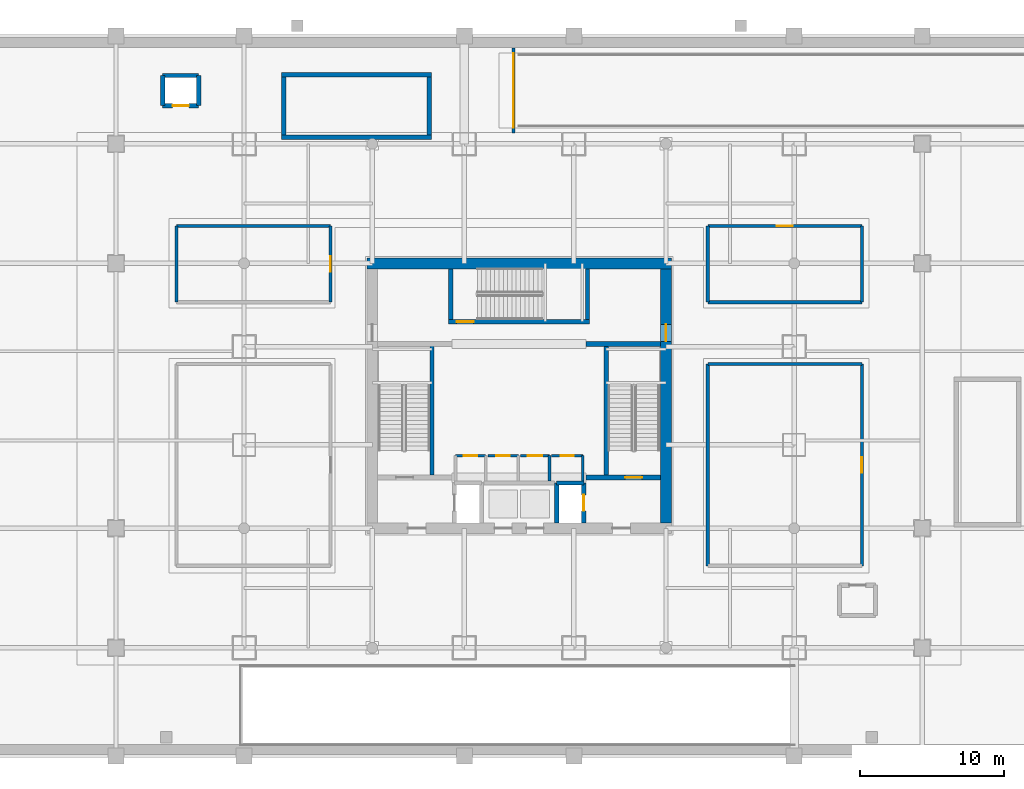
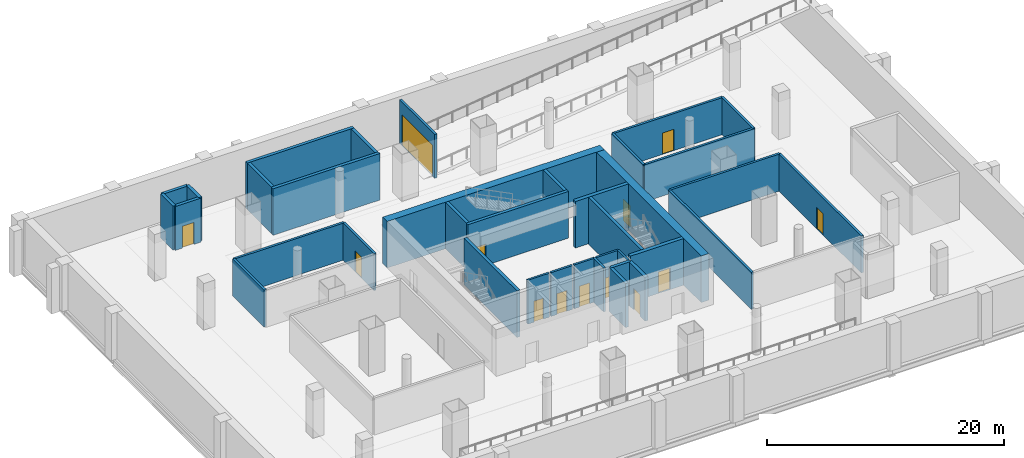
# One storey, part 4 of 12: 37 walls, 13 doors, 13 openings.
"""IFC4 building model written with IfcOpenShell, lengths in metres."""

from ifc_helpers import new_model, si_unit, direction, frame, frame_2d, origin, place, context, subcontext, project, spatial, rectangle, extrude, material, layer, layer_set, type_object, element, fill, save


model = new_model("IFC4")

# Units and contexts
model_context = context("Model", 3, precision=1e-05, world=origin(), true_north=direction((0.0, 1.0)))
body_context = subcontext(model_context, "Body", "Model", "MODEL_VIEW")
ifc_project = project(units=[si_unit("LENGTHUNIT", "METRE"), si_unit("AREAUNIT", "SQUARE_METRE"), si_unit("VOLUMEUNIT", "CUBIC_METRE"), si_unit("PLANEANGLEUNIT", "RADIAN"), si_unit("MASSUNIT", "GRAM", prefix="KILO")], contexts=[model_context])

# Site, building, storey
site_placement = place(None, origin())
site = spatial("IfcSite", under=ifc_project, at=site_placement, CompositionType="ELEMENT")
building_placement = place(site_placement, origin())
building = spatial("IfcBuilding", under=site, at=building_placement, Name="Punatoya Terracotta Tower", CompositionType="ELEMENT")
storey_placement = place(building_placement, frame((0.0, 0.0, -4.800048828125)))
storey = spatial("IfcBuildingStorey", under=building, at=storey_placement, Name="B1", CompositionType="ELEMENT", Elevation=-4.800048828125)

# Wall
ifc_material_1 = material(Name="Concrete C60/75", Category="concrete")
ifc_layer_1 = layer(ifc_material_1, 0.75)
ifc_layer_set_1 = layer_set([ifc_layer_1], Name="Concrete C60/75")
wall_type_1 = type_object("IfcWallType", Name="WL-COR-750", PredefinedType="SHEAR", material=ifc_layer_set_1)
wall_1_placement = place(storey_placement, frame((-10.574951171875, 9.199951171875, 0.0), z_axis=(0.0, 0.0, 1.0), x_axis=(1.0, 0.0, 0.0)))
element("IfcWall", 1, at=wall_1_placement, inside=storey, type_object=wall_type_1, Name="B1 Core Shear Wall N", PredefinedType="SHEAR", context=body_context, shape_type="SweptSolid", body=[
    extrude(rectangle(XDim=21.14990234375, YDim=0.75, at=frame_2d((10.574951171875, 0.0))), origin(), (0.0, 0.0, 1.0), 4.800048828125),
])

# Wall, opening, door
wall_2_placement = place(storey_placement, frame((10.199951171875, 8.824951171875, 0.0), z_axis=(0.0, 0.0, 1.0), x_axis=(0.0, -1.0, 0.0)))
wall_2 = element("IfcWall", 2, at=wall_2_placement, inside=storey, type_object=wall_type_1, Name="B1 Core Shear Wall E", PredefinedType="SHEAR", context=body_context, shape_type="SweptSolid", body=[
    extrude(rectangle(XDim=17.64990234375, YDim=0.75, at=frame_2d((8.824951171875, 0.0))), origin(), (0.0, 0.0, 1.0), 4.800048828125),
])
opening_1_placement = place(wall_2_placement, frame((3.85498046875, 0.0, 0.0)))
opening_1 = element("IfcOpeningElement", 3, at=opening_1_placement, cuts=wall_2, Name="Opening SD-01", PredefinedType="OPENING", context=body_context, shape_type="SweptSolid", body=[
    extrude(rectangle(XDim=1.179931640625, YDim=2.199951171875, at=frame_2d((0.58984375, 1.10009765625))), frame((0.0, 0.385009765625, 0.0), z_axis=(0.0, -1.0, 0.0), x_axis=(1.0, 0.0, 0.0)), (0.0, 0.0, 1.0), 0.77001953125),
])
ifc_material_2 = material(Name="Galvanised Steel Pressurized Stair Fire Door", Category="steel")
door_type_1 = type_object("IfcDoorType", Name="DR-STR-1180", OperationType="NOTDEFINED", PredefinedType="DOOR", material=ifc_material_2)
door_1_placement = place(opening_1_placement, origin())
door_1 = element("IfcDoor", 4, at=door_1_placement, inside=storey, type_object=door_type_1, Name="B1 Central Lift Lobby East Fire Door", OperationType="SINGLE_SWING_RIGHT", OverallHeight=2.199951171875, OverallWidth=1.179931640625, PredefinedType="DOOR", context=body_context, shape_type="SweptSolid", body=[
    extrude(rectangle(XDim=1.179931640625, YDim=2.199951171875, at=frame_2d((0.58984375, 1.10009765625))), frame((0.0, 0.02490234375, 0.0), z_axis=(0.0, -1.0, 0.0), x_axis=(1.0, 0.0, 0.0)), (0.0, 0.0, 1.0), 0.050048828125),
])
fill(opening_1, door_1)

ifc_material_3 = material(Name="Concrete C40/50", Category="concrete")
ifc_layer_2 = layer(ifc_material_3, 0.219970703125)
ifc_layer_set_2 = layer_set([ifc_layer_2], Name="Concrete C40/50")
wall_type_2 = type_object("IfcWallType", Name="WL-FIR-220", PredefinedType="SOLIDWALL", material=ifc_layer_set_2)
wall_3_placement = place(storey_placement, frame((-0.39990234375, 18.25, 0.0), z_axis=(0.0, 0.0, 1.0), x_axis=(0.0, 1.0, 0.0)))
wall_3 = element("IfcWall", 5, at=wall_3_placement, inside=storey, type_object=wall_type_2, Name="B1 Car Ramp VR-2 Fire-Shutter Portal Wall", PredefinedType="SOLIDWALL", context=body_context, shape_type="SweptSolid", body=[
    extrude(rectangle(XDim=5.89990234375, YDim=0.219970703125, at=frame_2d((2.949951171875, 0.0))), origin(), (0.0, 0.0, 1.0), 4.52001953125),
])
opening_2_placement = place(wall_3_placement, frame((0.35009765625, 0.0, 0.0)))
opening_2 = element("IfcOpeningElement", 6, at=opening_2_placement, cuts=wall_3, Name="Opening VRS-1", PredefinedType="OPENING", context=body_context, shape_type="SweptSolid", body=[
    extrude(rectangle(XDim=5.199951171875, YDim=3.199951171875, at=frame_2d((2.60009765625, 1.60009765625))), frame((0.0, 0.119873046875, 0.0), z_axis=(0.0, -1.0, 0.0), x_axis=(1.0, 0.0, 0.0)), (0.0, 0.0, 1.0), 0.239990234375),
])
ifc_material_4 = material(Name="Galvanised Steel Roller Shutter", Category="steel")
door_type_2 = type_object("IfcDoorType", Name="DR-SHU-5200", OperationType="NOTDEFINED", PredefinedType="GATE", material=ifc_material_4)
door_2_placement = place(opening_2_placement, origin())
door_2 = element("IfcDoor", 7, at=door_2_placement, inside=storey, type_object=door_type_2, Name="B1 Car Ramp VR-2 Fire Roller Shutter", OperationType="ROLLINGUP", OverallHeight=3.199951171875, OverallWidth=5.199951171875, PredefinedType="GATE", context=body_context, shape_type="SweptSolid", body=[
    extrude(rectangle(XDim=5.199951171875, YDim=3.199951171875, at=frame_2d((2.60009765625, 1.60009765625))), frame((0.0, 0.02490234375, 0.0), z_axis=(0.0, -1.0, 0.0), x_axis=(1.0, 0.0, 0.0)), (0.0, 0.0, 1.0), 0.050048828125),
])
fill(opening_2, door_2)

wall_4_placement = place(storey_placement, frame((-13.10009765625, 6.5, 0.0), z_axis=(0.0, 0.0, 1.0), x_axis=(0.0, 1.0, 0.0)))
wall_4 = element("IfcWall", 8, at=wall_4_placement, inside=storey, type_object=wall_type_2, Name="B1 Building Management and Fan Plant Room Partition 14", PredefinedType="SOLIDWALL", context=body_context, shape_type="SweptSolid", body=[
    extrude(rectangle(XDim=5.300048828125, YDim=0.219970703125, at=frame_2d((2.64990234375, 0.0))), origin(), (0.0, 0.0, 1.0), 3.81396484375),
])
opening_3_placement = place(wall_4_placement, frame((2.10009765625, 0.0, 0.0)))
opening_3 = element("IfcOpeningElement", 9, at=opening_3_placement, cuts=wall_4, Name="Opening FD-P1", PredefinedType="OPENING", context=body_context, shape_type="SweptSolid", body=[
    extrude(rectangle(XDim=1.10009765625, YDim=2.199951171875, at=frame_2d((0.550048828125, 1.10009765625))), frame((0.0, 0.119873046875, 0.0), z_axis=(0.0, -1.0, 0.0), x_axis=(1.0, 0.0, 0.0)), (0.0, 0.0, 1.0), 0.239990234375),
])
ifc_material_5 = material(Name="Galvanised Steel Plant Fire Door", Category="steel")
door_type_3 = type_object("IfcDoorType", Name="DR-PLT-1100", OperationType="NOTDEFINED", PredefinedType="DOOR", material=ifc_material_5)
door_3_placement = place(opening_3_placement, origin())
door_3 = element("IfcDoor", 10, at=door_3_placement, inside=storey, type_object=door_type_3, Name="B1 Building Management and Fan Plant Room Fire Door", OperationType="SINGLE_SWING_LEFT", OverallHeight=2.199951171875, OverallWidth=1.10009765625, PredefinedType="DOOR", context=body_context, shape_type="SweptSolid", body=[
    extrude(rectangle(XDim=1.10009765625, YDim=2.199951171875, at=frame_2d((0.550048828125, 1.10009765625))), frame((0.0, 0.02490234375, 0.0), z_axis=(0.0, -1.0, 0.0), x_axis=(1.0, 0.0, 0.0)), (0.0, 0.0, 1.0), 0.050048828125),
])
fill(opening_3, door_3)

# Walls
wall_5_placement = place(storey_placement, frame((-13.10009765625, 11.800048828125, 0.0), z_axis=(0.0, 0.0, 1.0), x_axis=(-1.0, 0.0, 0.0)))
element("IfcWall", 11, at=wall_5_placement, inside=storey, type_object=wall_type_2, Name="B1 Building Management and Fan Plant Room Partition 15", PredefinedType="SOLIDWALL", context=body_context, shape_type="SweptSolid", body=[
    extrude(rectangle(XDim=10.699951171875, YDim=0.219970703125, at=frame_2d((5.35009765625, 0.0))), origin(), (0.0, 0.0, 1.0), 3.81396484375),
])
wall_6_placement = place(storey_placement, frame((-23.800048828125, 11.800048828125, 0.0), z_axis=(0.0, 0.0, 1.0), x_axis=(0.0, -1.0, 0.0)))
element("IfcWall", 12, at=wall_6_placement, inside=storey, type_object=wall_type_2, Name="B1 Building Management and Fan Plant Room Partition 16", PredefinedType="SOLIDWALL", context=body_context, shape_type="SweptSolid", body=[
    extrude(rectangle(XDim=5.300048828125, YDim=0.219970703125, at=frame_2d((2.64990234375, 0.0))), origin(), (0.0, 0.0, 1.0), 3.81396484375),
])

# Wall, opening, door
wall_7_placement = place(storey_placement, frame((23.800048828125, -11.800048828125, 0.0), z_axis=(0.0, 0.0, 1.0), x_axis=(0.0, 1.0, 0.0)))
wall_7 = element("IfcWall", 13, at=wall_7_placement, inside=storey, type_object=wall_type_2, Name="B1 Secure Staff Cycle Hub and Changing Room Partition 18", PredefinedType="SOLIDWALL", context=body_context, shape_type="SweptSolid", body=[
    extrude(rectangle(XDim=14.0, YDim=0.219970703125, at=frame_2d((7.0, 0.0))), origin(), (0.0, 0.0, 1.0), 3.81396484375),
])
opening_4_placement = place(wall_7_placement, frame((6.449951171875, 0.0, 0.0)))
opening_4 = element("IfcOpeningElement", 14, at=opening_4_placement, cuts=wall_7, Name="Opening FD-P1", PredefinedType="OPENING", context=body_context, shape_type="SweptSolid", body=[
    extrude(rectangle(XDim=1.10009765625, YDim=2.199951171875, at=frame_2d((0.550048828125, 1.10009765625))), frame((0.0, 0.119873046875, 0.0), z_axis=(0.0, -1.0, 0.0), x_axis=(1.0, 0.0, 0.0)), (0.0, 0.0, 1.0), 0.239990234375),
])
door_4_placement = place(opening_4_placement, origin())
door_4 = element("IfcDoor", 15, at=door_4_placement, inside=storey, type_object=door_type_3, Name="B1 Secure Staff Cycle Hub and Changing Room Fire Door", OperationType="SINGLE_SWING_RIGHT", OverallHeight=2.199951171875, OverallWidth=1.10009765625, PredefinedType="DOOR", context=body_context, shape_type="SweptSolid", body=[
    extrude(rectangle(XDim=1.10009765625, YDim=2.199951171875, at=frame_2d((0.550048828125, 1.10009765625))), frame((0.0, 0.02490234375, 0.0), z_axis=(0.0, -1.0, 0.0), x_axis=(1.0, 0.0, 0.0)), (0.0, 0.0, 1.0), 0.050048828125),
])
fill(opening_4, door_4)

# Walls
wall_8_placement = place(storey_placement, frame((23.800048828125, 2.199951171875, 0.0), z_axis=(0.0, 0.0, 1.0), x_axis=(-1.0, 0.0, 0.0)))
element("IfcWall", 16, at=wall_8_placement, inside=storey, type_object=wall_type_2, Name="B1 Secure Staff Cycle Hub and Changing Room Partition 19", PredefinedType="SOLIDWALL", context=body_context, shape_type="SweptSolid", body=[
    extrude(rectangle(XDim=10.699951171875, YDim=0.219970703125, at=frame_2d((5.35009765625, 0.0))), origin(), (0.0, 0.0, 1.0), 3.81396484375),
])
wall_9_placement = place(storey_placement, frame((13.10009765625, 2.199951171875, 0.0), z_axis=(0.0, 0.0, 1.0), x_axis=(0.0, -1.0, 0.0)))
element("IfcWall", 17, at=wall_9_placement, inside=storey, type_object=wall_type_2, Name="B1 Secure Staff Cycle Hub and Changing Room Partition 20", PredefinedType="SOLIDWALL", context=body_context, shape_type="SweptSolid", body=[
    extrude(rectangle(XDim=14.0, YDim=0.219970703125, at=frame_2d((7.0, 0.0))), origin(), (0.0, 0.0, 1.0), 3.81396484375),
])
wall_10_placement = place(storey_placement, frame((23.800048828125, 6.5, 0.0), z_axis=(0.0, 0.0, 1.0), x_axis=(0.0, 1.0, 0.0)))
element("IfcWall", 18, at=wall_10_placement, inside=storey, type_object=wall_type_2, Name="B1 Refuse Compactor and Facilities Workshop Partition 22", PredefinedType="SOLIDWALL", context=body_context, shape_type="SweptSolid", body=[
    extrude(rectangle(XDim=5.300048828125, YDim=0.219970703125, at=frame_2d((2.64990234375, 0.0))), origin(), (0.0, 0.0, 1.0), 3.81396484375),
])

# Wall, opening, door
wall_11_placement = place(storey_placement, frame((23.800048828125, 11.800048828125, 0.0), z_axis=(0.0, 0.0, 1.0), x_axis=(-1.0, 0.0, 0.0)))
wall_11 = element("IfcWall", 19, at=wall_11_placement, inside=storey, type_object=wall_type_2, Name="B1 Refuse Compactor and Facilities Workshop Partition 23", PredefinedType="SOLIDWALL", context=body_context, shape_type="SweptSolid", body=[
    extrude(rectangle(XDim=10.699951171875, YDim=0.219970703125, at=frame_2d((5.35009765625, 0.0))), origin(), (0.0, 0.0, 1.0), 3.81396484375),
])
opening_5_placement = place(wall_11_placement, frame((4.800048828125, 0.0, 0.0)))
opening_5 = element("IfcOpeningElement", 20, at=opening_5_placement, cuts=wall_11, Name="Opening FD-P1", PredefinedType="OPENING", context=body_context, shape_type="SweptSolid", body=[
    extrude(rectangle(XDim=1.10009765625, YDim=2.199951171875, at=frame_2d((0.550048828125, 1.10009765625))), frame((0.0, 0.119873046875, 0.0), z_axis=(0.0, -1.0, 0.0), x_axis=(1.0, 0.0, 0.0)), (0.0, 0.0, 1.0), 0.239990234375),
])
door_5_placement = place(opening_5_placement, origin())
door_5 = element("IfcDoor", 21, at=door_5_placement, inside=storey, type_object=door_type_3, Name="B1 Refuse Compactor and Facilities Workshop Fire Door", OperationType="SINGLE_SWING_LEFT", OverallHeight=2.199951171875, OverallWidth=1.10009765625, PredefinedType="DOOR", context=body_context, shape_type="SweptSolid", body=[
    extrude(rectangle(XDim=1.10009765625, YDim=2.199951171875, at=frame_2d((0.550048828125, 1.10009765625))), frame((0.0, 0.02490234375, 0.0), z_axis=(0.0, -1.0, 0.0), x_axis=(1.0, 0.0, 0.0)), (0.0, 0.0, 1.0), 0.050048828125),
])
fill(opening_5, door_5)

# Walls
wall_12_placement = place(storey_placement, frame((13.10009765625, 11.800048828125, 0.0), z_axis=(0.0, 0.0, 1.0), x_axis=(0.0, -1.0, 0.0)))
element("IfcWall", 22, at=wall_12_placement, inside=storey, type_object=wall_type_2, Name="B1 Refuse Compactor and Facilities Workshop Partition 24", PredefinedType="SOLIDWALL", context=body_context, shape_type="SweptSolid", body=[
    extrude(rectangle(XDim=5.300048828125, YDim=0.219970703125, at=frame_2d((2.64990234375, 0.0))), origin(), (0.0, 0.0, 1.0), 3.81396484375),
])
wall_13_placement = place(storey_placement, frame((13.10009765625, 6.5, 0.0), z_axis=(0.0, 0.0, 1.0), x_axis=(1.0, 0.0, 0.0)))
element("IfcWall", 23, at=wall_13_placement, inside=storey, type_object=wall_type_2, Name="B1 Refuse Compactor and Facilities Workshop Partition 25", PredefinedType="SOLIDWALL", context=body_context, shape_type="SweptSolid", body=[
    extrude(rectangle(XDim=10.699951171875, YDim=0.219970703125, at=frame_2d((5.35009765625, 0.0))), origin(), (0.0, 0.0, 1.0), 3.81396484375),
])

# Wall, opening, door
ifc_layer_3 = layer(ifc_material_3, 0.199951171875)
ifc_layer_set_3 = layer_set([ifc_layer_3], Name="Concrete C40/50")
wall_type_3 = type_object("IfcWallType", Name="WL-INT-200", PredefinedType="SOLIDWALL", material=ifc_layer_set_3)
wall_14_placement = place(storey_placement, frame((-2.320068359375, -4.159912109375, 0.0), z_axis=(0.0, 0.0, 1.0), x_axis=(-1.0, 0.0, 0.0)))
wall_14 = element("IfcWall", 24, at=wall_14_placement, inside=storey, type_object=wall_type_3, Name="B1 Staff Male Washroom Partition 02", PredefinedType="SOLIDWALL", context=body_context, shape_type="SweptSolid", body=[
    extrude(rectangle(XDim=2.099853515625, YDim=0.199951171875, at=frame_2d((1.0498046875, 0.0))), origin(), (0.0, 0.0, 1.0), 4.52001953125),
])
opening_6_placement = place(wall_14_placement, frame((0.574951171875, 0.0, 0.0)))
opening_6 = element("IfcOpeningElement", 25, at=opening_6_placement, cuts=wall_14, Name="Opening WD-01", PredefinedType="OPENING", context=body_context, shape_type="SweptSolid", body=[
    extrude(rectangle(XDim=0.949951171875, YDim=2.14990234375, at=frame_2d((0.47509765625, 1.074951171875))), frame((0.0, 0.10986328125, 0.0), z_axis=(0.0, -1.0, 0.0), x_axis=(1.0, 0.0, 0.0)), (0.0, 0.0, 1.0), 0.219970703125),
])
ifc_material_6 = material(Name="Moisture-Resistant Laminate Timber Leaf", Category="wood")
door_type_4 = type_object("IfcDoorType", Name="DR-WC-950", OperationType="NOTDEFINED", PredefinedType="DOOR", material=ifc_material_6)
door_6_placement = place(opening_6_placement, origin())
door_6 = element("IfcDoor", 26, at=door_6_placement, inside=storey, type_object=door_type_4, Name="B1 Staff Male Washroom Door", OperationType="SINGLE_SWING_RIGHT", OverallHeight=2.14990234375, OverallWidth=0.949951171875, PredefinedType="DOOR", context=body_context, shape_type="SweptSolid", body=[
    extrude(rectangle(XDim=0.949951171875, YDim=2.14990234375, at=frame_2d((0.47509765625, 1.074951171875))), frame((0.0, 0.02490234375, 0.0), z_axis=(0.0, -1.0, 0.0), x_axis=(1.0, 0.0, 0.0)), (0.0, 0.0, 1.0), 0.050048828125),
])
fill(opening_6, door_6)

wall_15_placement = place(storey_placement, frame((-0.06005859375, -4.159912109375, 0.0), z_axis=(0.0, 0.0, 1.0), x_axis=(-1.0, 0.0, 0.0)))
wall_15 = element("IfcWall", 27, at=wall_15_placement, inside=storey, type_object=wall_type_3, Name="B1 Staff Female Washroom Partition 05", PredefinedType="SOLIDWALL", context=body_context, shape_type="SweptSolid", body=[
    extrude(rectangle(XDim=2.099853515625, YDim=0.199951171875, at=frame_2d((1.0498046875, 0.0))), origin(), (0.0, 0.0, 1.0), 4.52001953125),
])
opening_7_placement = place(wall_15_placement, frame((0.574951171875, 0.0, 0.0)))
opening_7 = element("IfcOpeningElement", 28, at=opening_7_placement, cuts=wall_15, Name="Opening WD-01", PredefinedType="OPENING", context=body_context, shape_type="SweptSolid", body=[
    extrude(rectangle(XDim=0.949951171875, YDim=2.14990234375, at=frame_2d((0.47509765625, 1.074951171875))), frame((0.0, 0.10986328125, 0.0), z_axis=(0.0, -1.0, 0.0), x_axis=(1.0, 0.0, 0.0)), (0.0, 0.0, 1.0), 0.219970703125),
])
door_7_placement = place(opening_7_placement, origin())
door_7 = element("IfcDoor", 29, at=door_7_placement, inside=storey, type_object=door_type_4, Name="B1 Staff Female Washroom Door", OperationType="SINGLE_SWING_LEFT", OverallHeight=2.14990234375, OverallWidth=0.949951171875, PredefinedType="DOOR", context=body_context, shape_type="SweptSolid", body=[
    extrude(rectangle(XDim=0.949951171875, YDim=2.14990234375, at=frame_2d((0.47509765625, 1.074951171875))), frame((0.0, 0.02490234375, 0.0), z_axis=(0.0, -1.0, 0.0), x_axis=(1.0, 0.0, 0.0)), (0.0, 0.0, 1.0), 0.050048828125),
])
fill(opening_7, door_7)

# Wall
wall_16_placement = place(storey_placement, frame((2.10009765625, -5.89990234375, 0.0), z_axis=(0.0, 0.0, 1.0), x_axis=(0.0, 1.0, 0.0)))
element("IfcWall", 30, at=wall_16_placement, inside=storey, type_object=wall_type_3, Name="B1 Accessible Universal Washroom Partition 06", PredefinedType="SOLIDWALL", context=body_context, shape_type="SweptSolid", body=[
    extrude(rectangle(XDim=1.739990234375, YDim=0.199951171875, at=frame_2d((0.8701171875, 0.0))), origin(), (0.0, 0.0, 1.0), 4.52001953125),
])

# Wall, opening, door
wall_17_placement = place(storey_placement, frame((2.10009765625, -4.159912109375, 0.0), z_axis=(0.0, 0.0, 1.0), x_axis=(-1.0, 0.0, 0.0)))
wall_17 = element("IfcWall", 31, at=wall_17_placement, inside=storey, type_object=wall_type_3, Name="B1 Accessible Universal Washroom Partition 07", PredefinedType="SOLIDWALL", context=body_context, shape_type="SweptSolid", body=[
    extrude(rectangle(XDim=2.0, YDim=0.199951171875, at=frame_2d((1.0, 0.0))), origin(), (0.0, 0.0, 1.0), 4.52001953125),
])
opening_8_placement = place(wall_17_placement, frame((0.5, 0.0, 0.0)))
opening_8 = element("IfcOpeningElement", 32, at=opening_8_placement, cuts=wall_17, Name="Opening AWD-1", PredefinedType="OPENING", context=body_context, shape_type="SweptSolid", body=[
    extrude(rectangle(XDim=1.0, YDim=2.14990234375, at=frame_2d((0.5, 1.074951171875))), frame((0.0, 0.10986328125, 0.0), z_axis=(0.0, -1.0, 0.0), x_axis=(1.0, 0.0, 0.0)), (0.0, 0.0, 1.0), 0.219970703125),
])
ifc_material_7 = material(Name="Bengal Teak Accessible WC Leaf")
door_type_5 = type_object("IfcDoorType", Name="DR-ACC-1000", OperationType="NOTDEFINED", PredefinedType="DOOR", material=ifc_material_7)
door_8_placement = place(opening_8_placement, origin())
door_8 = element("IfcDoor", 33, at=door_8_placement, inside=storey, type_object=door_type_5, Name="B1 Accessible Universal Washroom Door", OperationType="SINGLE_SWING_RIGHT", OverallHeight=2.14990234375, OverallWidth=1.0, PredefinedType="DOOR", context=body_context, shape_type="SweptSolid", body=[
    extrude(rectangle(XDim=1.0, YDim=2.14990234375, at=frame_2d((0.5, 1.074951171875))), frame((0.0, 0.02490234375, 0.0), z_axis=(0.0, -1.0, 0.0), x_axis=(1.0, 0.0, 0.0)), (0.0, 0.0, 1.0), 0.050048828125),
])
fill(opening_8, door_8)

# Wall
wall_18_placement = place(storey_placement, frame((4.419921875, -5.89990234375, 0.0), z_axis=(0.0, 0.0, 1.0), x_axis=(0.0, 1.0, 0.0)))
element("IfcWall", 34, at=wall_18_placement, inside=storey, type_object=wall_type_3, Name="B1 Core Electrical Switchgear Room Partition 08", PredefinedType="SOLIDWALL", context=body_context, shape_type="SweptSolid", body=[
    extrude(rectangle(XDim=1.739990234375, YDim=0.199951171875, at=frame_2d((0.8701171875, 0.0))), origin(), (0.0, 0.0, 1.0), 4.52001953125),
])

# Wall, opening, door
wall_19_placement = place(storey_placement, frame((4.419921875, -4.159912109375, 0.0), z_axis=(0.0, 0.0, 1.0), x_axis=(-1.0, 0.0, 0.0)))
wall_19 = element("IfcWall", 35, at=wall_19_placement, inside=storey, type_object=wall_type_3, Name="B1 Core Electrical Switchgear Room Partition 09", PredefinedType="SOLIDWALL", context=body_context, shape_type="SweptSolid", body=[
    extrude(rectangle(XDim=2.159912109375, YDim=0.199951171875, at=frame_2d((1.080078125, 0.0))), origin(), (0.0, 0.0, 1.0), 4.52001953125),
])
opening_9_placement = place(wall_19_placement, frame((0.6201171875, 0.0, 0.0)))
opening_9 = element("IfcOpeningElement", 36, at=opening_9_placement, cuts=wall_19, Name="Opening FD-R1", PredefinedType="OPENING", context=body_context, shape_type="SweptSolid", body=[
    extrude(rectangle(XDim=0.919921875, YDim=2.10009765625, at=frame_2d((0.4599609375, 1.050048828125))), frame((0.0, 0.10986328125, 0.0), z_axis=(0.0, -1.0, 0.0), x_axis=(1.0, 0.0, 0.0)), (0.0, 0.0, 1.0), 0.219970703125),
])
ifc_material_8 = material(Name="Galvanised Steel Riser Fire Access Door", Category="steel")
door_type_6 = type_object("IfcDoorType", Name="DR-RSR-920", OperationType="NOTDEFINED", PredefinedType="DOOR", material=ifc_material_8)
door_9_placement = place(opening_9_placement, origin())
door_9 = element("IfcDoor", 37, at=door_9_placement, inside=storey, type_object=door_type_6, Name="B1 Core Electrical Switchgear Room Fire Door", OperationType="SINGLE_SWING_LEFT", OverallHeight=2.10009765625, OverallWidth=0.919921875, PredefinedType="DOOR", context=body_context, shape_type="SweptSolid", body=[
    extrude(rectangle(XDim=0.919921875, YDim=2.10009765625, at=frame_2d((0.4599609375, 1.050048828125))), frame((0.0, 0.02490234375, 0.0), z_axis=(0.0, -1.0, 0.0), x_axis=(1.0, 0.0, 0.0)), (0.0, 0.0, 1.0), 0.050048828125),
])
fill(opening_9, door_9)

# Walls
ifc_layer_4 = layer(ifc_material_3, 0.300048828125)
ifc_layer_set_4 = layer_set([ifc_layer_4], Name="Concrete C40/50")
wall_type_4 = type_object("IfcWallType", Name="WL-SHF-300", PredefinedType="SOLIDWALL", material=ifc_layer_set_4)
for number, where, z_axis, x_axis, name in (
    (38, (-6.050048828125, -5.5, 0.0), (0.0, 0.0, 1.0), (0.0, 1.0, 0.0), "B1 Structural Stair Shaft Wall SW-ST1-E"),
    (39, (6.050048828125, 3.449951171875, 0.0), (0.0, 0.0, 1.0), (0.0, -1.0, 0.0), "B1 Structural Stair Shaft Wall SW-ST2-W"),
):
    element("IfcWall", number, at=place(storey_placement, frame(where, z_axis=z_axis, x_axis=x_axis)), inside=storey, type_object=wall_type_4, Name=name, PredefinedType="SOLIDWALL", context=body_context, shape_type="SweptSolid", body=[
        extrude(rectangle(XDim=8.949951171875, YDim=0.300048828125, at=frame_2d((4.47509765625, 0.0))), origin(), (0.0, 0.0, 1.0), 4.800048828125),
    ])
for number, where, z_axis, x_axis, name in (
    (40, (-4.75, 5.300048828125, 0.0), (0.0, 0.0, 1.0), (0.0, 1.0, 0.0), "B1 Structural Stair Shaft Wall SW-ST3-W"),
    (41, (4.75, 8.824951171875, 0.0), (0.0, 0.0, 1.0), (0.0, -1.0, 0.0), "B1 Structural Stair Shaft Wall SW-ST3-E"),
):
    element("IfcWall", number, at=place(storey_placement, frame(where, z_axis=z_axis, x_axis=x_axis)), inside=storey, type_object=wall_type_4, Name=name, PredefinedType="SOLIDWALL", context=body_context, shape_type="SweptSolid", body=[
        extrude(rectangle(XDim=3.52490234375, YDim=0.300048828125, at=frame_2d((1.762451171875, 0.0))), origin(), (0.0, 0.0, 1.0), 4.800048828125),
    ])

# Wall, opening, door
wall_20_placement = place(storey_placement, frame((-4.89990234375, 5.14990234375, 0.0), z_axis=(0.0, 0.0, 1.0), x_axis=(1.0, 0.0, 0.0)))
wall_20 = element("IfcWall", 42, at=wall_20_placement, inside=storey, type_object=wall_type_4, Name="B1 Structural Stair Shaft Wall SW-ST3-S", PredefinedType="SOLIDWALL", context=body_context, shape_type="SweptSolid", body=[
    extrude(rectangle(XDim=9.7998046875, YDim=0.300048828125, at=frame_2d((4.89990234375, 0.0))), origin(), (0.0, 0.0, 1.0), 4.800048828125),
])
opening_10_placement = place(wall_20_placement, frame((0.56005859375, 0.0, 0.0)))
opening_10 = element("IfcOpeningElement", 43, at=opening_10_placement, cuts=wall_20, Name="Opening SD-01", PredefinedType="OPENING", context=body_context, shape_type="SweptSolid", body=[
    extrude(rectangle(XDim=1.179931640625, YDim=2.199951171875, at=frame_2d((0.58984375, 1.10009765625))), frame((0.0, 0.159912109375, 0.0), z_axis=(0.0, -1.0, 0.0), x_axis=(1.0, 0.0, 0.0)), (0.0, 0.0, 1.0), 0.320068359375),
])
door_10_placement = place(opening_10_placement, origin())
door_10 = element("IfcDoor", 44, at=door_10_placement, inside=storey, type_object=door_type_1, Name="B1 Stair ST-3 Core Lobby Fire Door", OperationType="SINGLE_SWING_LEFT", OverallHeight=2.199951171875, OverallWidth=1.179931640625, PredefinedType="DOOR", context=body_context, shape_type="SweptSolid", body=[
    extrude(rectangle(XDim=1.179931640625, YDim=2.199951171875, at=frame_2d((0.58984375, 1.10009765625))), frame((0.0, 0.02490234375, 0.0), z_axis=(0.0, -1.0, 0.0), x_axis=(1.0, 0.0, 0.0)), (0.0, 0.0, 1.0), 0.050048828125),
])
fill(opening_10, door_10)

# Walls
for number, where, z_axis, x_axis, name in (
    (45, (-16.5, 17.949951171875, 0.0), (0.0, 0.0, 1.0), (1.0, 0.0, 0.0), "B1 ST-P1 South Structural Shaft Wall"),
    (46, (-6.10009765625, 22.300048828125, 0.0), (0.0, 0.0, 1.0), (-1.0, 0.0, 0.0), "B1 ST-P1 North Structural Shaft Wall"),
):
    element("IfcWall", number, at=place(storey_placement, frame(where, z_axis=z_axis, x_axis=x_axis)), inside=storey, type_object=wall_type_4, Name=name, PredefinedType="SOLIDWALL", context=body_context, shape_type="SweptSolid", body=[
        extrude(rectangle(XDim=10.39990234375, YDim=0.300048828125, at=frame_2d((5.199951171875, 0.0))), origin(), (0.0, 0.0, 1.0), 4.800048828125),
    ])
for number, where, z_axis, x_axis, name in (
    (47, (-16.35009765625, 18.10009765625, 0.0), (0.0, 0.0, 1.0), (0.0, 1.0, 0.0), "B1 ST-P1 West Structural Shaft Wall"),
    (48, (-6.25, 22.14990234375, 0.0), (0.0, 0.0, 1.0), (0.0, -1.0, 0.0), "B1 ST-P1 East Structural Shaft Wall"),
):
    element("IfcWall", number, at=place(storey_placement, frame(where, z_axis=z_axis, x_axis=x_axis)), inside=storey, type_object=wall_type_4, Name=name, PredefinedType="SOLIDWALL", context=body_context, shape_type="SweptSolid", body=[
        extrude(rectangle(XDim=4.0498046875, YDim=0.300048828125, at=frame_2d((2.02490234375, 0.0))), origin(), (0.0, 0.0, 1.0), 4.800048828125),
    ])

# Wall, opening, door
wall_21_placement = place(storey_placement, frame((4.489990234375, -8.820068359375, 0.0), z_axis=(0.0, 0.0, 1.0), x_axis=(0.0, 1.0, 0.0)))
wall_21 = element("IfcWall", 49, at=wall_21_placement, inside=storey, type_object=wall_type_4, Name="B1 FFL-2 Front Hoistway Wall", PredefinedType="SOLIDWALL", context=body_context, shape_type="SweptSolid", body=[
    extrude(rectangle(XDim=2.77001953125, YDim=0.300048828125, at=frame_2d((1.385009765625, 0.0))), origin(), (0.0, 0.0, 1.0), 4.52001953125),
])
opening_11_placement = place(wall_21_placement, frame((0.824951171875, 0.0, 0.0)))
opening_11 = element("IfcOpeningElement", 50, at=opening_11_placement, cuts=wall_21, Name="Opening LD-02", PredefinedType="OPENING", context=body_context, shape_type="SweptSolid", body=[
    extrude(rectangle(XDim=1.1201171875, YDim=2.25, at=frame_2d((0.56005859375, 1.125))), frame((0.0, 0.159912109375, 0.0), z_axis=(0.0, -1.0, 0.0), x_axis=(1.0, 0.0, 0.0)), (0.0, 0.0, 1.0), 0.320068359375),
])
ifc_material_9 = material(Name="Stainless Steel Lift Landing Door", Category="steel")
door_type_7 = type_object("IfcDoorType", Name="DR-LND-1120", OperationType="NOTDEFINED", PredefinedType="DOOR", material=ifc_material_9)
door_11_placement = place(opening_11_placement, origin())
door_11 = element("IfcDoor", 51, at=door_11_placement, inside=storey, type_object=door_type_7, Name="B1 Firefighting Lift FFL-2 Sliding Landing Door", OperationType="SLIDING_TO_RIGHT", OverallHeight=2.25, OverallWidth=1.1201171875, PredefinedType="DOOR", context=body_context, shape_type="SweptSolid", body=[
    extrude(rectangle(XDim=1.1201171875, YDim=2.25, at=frame_2d((0.56005859375, 1.125))), frame((0.0, 0.02490234375, 0.0), z_axis=(0.0, -1.0, 0.0), x_axis=(1.0, 0.0, 0.0)), (0.0, 0.0, 1.0), 0.050048828125),
])
fill(opening_11, door_11)

# Walls
wall_22_placement = place(storey_placement, frame((2.610107421875, -8.820068359375, 0.0), z_axis=(0.0, 0.0, 1.0), x_axis=(0.0, 1.0, 0.0)))
element("IfcWall", 52, at=wall_22_placement, inside=storey, type_object=wall_type_4, Name="B1 FFL-2 Rear Hoistway Wall", PredefinedType="SOLIDWALL", context=body_context, shape_type="SweptSolid", body=[
    extrude(rectangle(XDim=2.77001953125, YDim=0.300048828125, at=frame_2d((1.385009765625, 0.0))), origin(), (0.0, 0.0, 1.0), 4.52001953125),
])
wall_23_placement = place(storey_placement, frame((2.610107421875, -6.050048828125, 0.0), z_axis=(0.0, 0.0, 1.0), x_axis=(1.0, 0.0, 0.0)))
element("IfcWall", 53, at=wall_23_placement, inside=storey, type_object=wall_type_4, Name="B1 FFL-2 North Hoistway Wall", PredefinedType="SOLIDWALL", context=body_context, shape_type="SweptSolid", body=[
    extrude(rectangle(XDim=1.8798828125, YDim=0.300048828125, at=frame_2d((0.93994140625, 0.0))), origin(), (0.0, 0.0, 1.0), 4.52001953125),
])

# Wall, opening, door
wall_24_placement = place(storey_placement, frame((-24.75, 20.14990234375, 0.0), z_axis=(0.0, 0.0, 1.0), x_axis=(1.0, 0.0, 0.0)))
wall_24 = element("IfcWall", 54, at=wall_24_placement, inside=storey, type_object=wall_type_4, Name="B1 Podium Lift PL-P1 Front Wall", PredefinedType="SOLIDWALL", context=body_context, shape_type="SweptSolid", body=[
    extrude(rectangle(XDim=2.5, YDim=0.300048828125, at=frame_2d((1.25, 0.0))), origin(), (0.0, 0.0, 1.0), 4.52001953125),
])
opening_12_placement = place(wall_24_placement, frame((0.68994140625, 0.0, 0.0)))
opening_12 = element("IfcOpeningElement", 55, at=opening_12_placement, cuts=wall_24, Name="Opening LD-02", PredefinedType="OPENING", context=body_context, shape_type="SweptSolid", body=[
    extrude(rectangle(XDim=1.1201171875, YDim=2.25, at=frame_2d((0.56005859375, 1.125))), frame((0.0, 0.159912109375, 0.0), z_axis=(0.0, -1.0, 0.0), x_axis=(1.0, 0.0, 0.0)), (0.0, 0.0, 1.0), 0.320068359375),
])
door_12_placement = place(opening_12_placement, origin())
door_12 = element("IfcDoor", 56, at=door_12_placement, inside=storey, type_object=door_type_7, Name="B1 Podium Lift PL-P1 Sliding Landing Door", OperationType="DOUBLE_DOOR_SLIDING", OverallHeight=2.25, OverallWidth=1.1201171875, PredefinedType="DOOR", context=body_context, shape_type="SweptSolid", body=[
    extrude(rectangle(XDim=1.1201171875, YDim=2.25, at=frame_2d((0.56005859375, 1.125))), frame((0.0, 0.02490234375, 0.0), z_axis=(0.0, -1.0, 0.0), x_axis=(1.0, 0.0, 0.0)), (0.0, 0.0, 1.0), 0.050048828125),
])
fill(opening_12, door_12)

# Walls
wall_25_placement = place(storey_placement, frame((-24.75, 22.25, 0.0), z_axis=(0.0, 0.0, 1.0), x_axis=(1.0, 0.0, 0.0)))
element("IfcWall", 57, at=wall_25_placement, inside=storey, type_object=wall_type_4, Name="B1 Podium Lift PL-P1 Rear Wall", PredefinedType="SOLIDWALL", context=body_context, shape_type="SweptSolid", body=[
    extrude(rectangle(XDim=2.5, YDim=0.300048828125, at=frame_2d((1.25, 0.0))), origin(), (0.0, 0.0, 1.0), 4.52001953125),
])
for number, where, z_axis, x_axis, name in (
    (58, (-24.75, 20.14990234375, 0.0), (0.0, 0.0, 1.0), (0.0, 1.0, 0.0), "B1 Podium Lift PL-P1 West Wall"),
    (59, (-22.25, 20.14990234375, 0.0), (0.0, 0.0, 1.0), (0.0, 1.0, 0.0), "B1 Podium Lift PL-P1 East Wall"),
):
    element("IfcWall", number, at=place(storey_placement, frame(where, z_axis=z_axis, x_axis=x_axis)), inside=storey, type_object=wall_type_4, Name=name, PredefinedType="SOLIDWALL", context=body_context, shape_type="SweptSolid", body=[
        extrude(rectangle(XDim=2.10009765625, YDim=0.300048828125, at=frame_2d((1.050048828125, 0.0))), origin(), (0.0, 0.0, 1.0), 4.52001953125),
    ])

# Wall, opening, door
ifc_material_10 = material(Name="Concrete C50/60", Category="concrete")
ifc_layer_5 = layer(ifc_material_10, 0.35009765625)
ifc_layer_set_5 = layer_set([ifc_layer_5], Name="Concrete C50/60")
wall_type_5 = type_object("IfcWallType", Name="WL-SHF-350", PredefinedType="SOLIDWALL", material=ifc_layer_set_5)
wall_26_placement = place(storey_placement, frame((4.64990234375, -5.679931640625, 0.0), z_axis=(0.0, 0.0, 1.0), x_axis=(1.0, 0.0, 0.0)))
wall_26 = element("IfcWall", 60, at=wall_26_placement, inside=storey, type_object=wall_type_5, Name="B1 Core Web Wall CSW-R", PredefinedType="SOLIDWALL", context=body_context, shape_type="SweptSolid", body=[
    extrude(rectangle(XDim=5.175048828125, YDim=0.35009765625, at=frame_2d((2.58740234375, 0.0))), origin(), (0.0, 0.0, 1.0), 4.800048828125),
])
opening_13_placement = place(wall_26_placement, frame((2.7099609375, 0.0, 0.0)))
opening_13 = element("IfcOpeningElement", 61, at=opening_13_placement, cuts=wall_26, Name="Opening SD-01", PredefinedType="OPENING", context=body_context, shape_type="SweptSolid", body=[
    extrude(rectangle(XDim=1.179931640625, YDim=2.199951171875, at=frame_2d((0.58984375, 1.10009765625))), frame((0.0, 0.18505859375, 0.0), z_axis=(0.0, -1.0, 0.0), x_axis=(1.0, 0.0, 0.0)), (0.0, 0.0, 1.0), 0.3701171875),
])
door_13_placement = place(opening_13_placement, origin())
door_13 = element("IfcDoor", 62, at=door_13_placement, inside=storey, type_object=door_type_1, Name="B1 Stair ST-2 Smokeproof Lobby Fire Door", OperationType="SINGLE_SWING_RIGHT", OverallHeight=2.199951171875, OverallWidth=1.179931640625, PredefinedType="DOOR", context=body_context, shape_type="SweptSolid", body=[
    extrude(rectangle(XDim=1.179931640625, YDim=2.199951171875, at=frame_2d((0.58984375, 1.10009765625))), frame((0.0, 0.02490234375, 0.0), z_axis=(0.0, -1.0, 0.0), x_axis=(1.0, 0.0, 0.0)), (0.0, 0.0, 1.0), 0.050048828125),
])
fill(opening_13, door_13)

# Wall
wall_27_placement = place(storey_placement, frame((4.64990234375, 3.60009765625, 0.0), z_axis=(0.0, 0.0, 1.0), x_axis=(1.0, 0.0, 0.0)))
element("IfcWall", 63, at=wall_27_placement, inside=storey, type_object=wall_type_5, Name="B1 Core Web Wall CNW-R", PredefinedType="SOLIDWALL", context=body_context, shape_type="SweptSolid", body=[
    extrude(rectangle(XDim=5.175048828125, YDim=0.35009765625, at=frame_2d((2.58740234375, 0.0))), origin(), (0.0, 0.0, 1.0), 4.800048828125),
])

save(model, "model.ifc")
